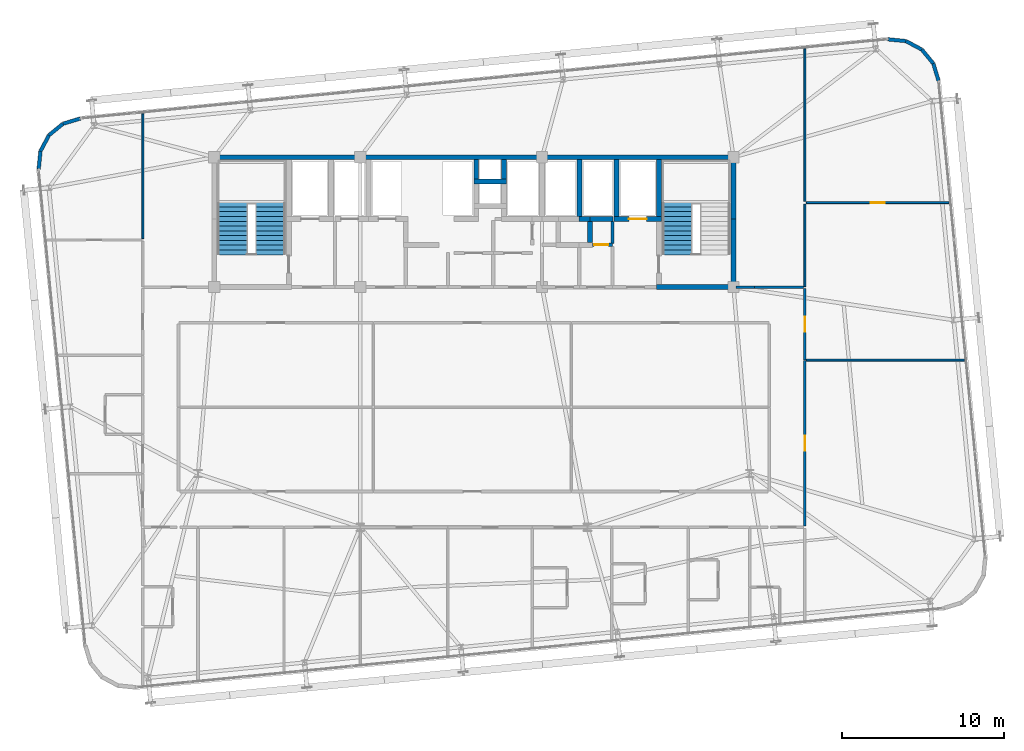
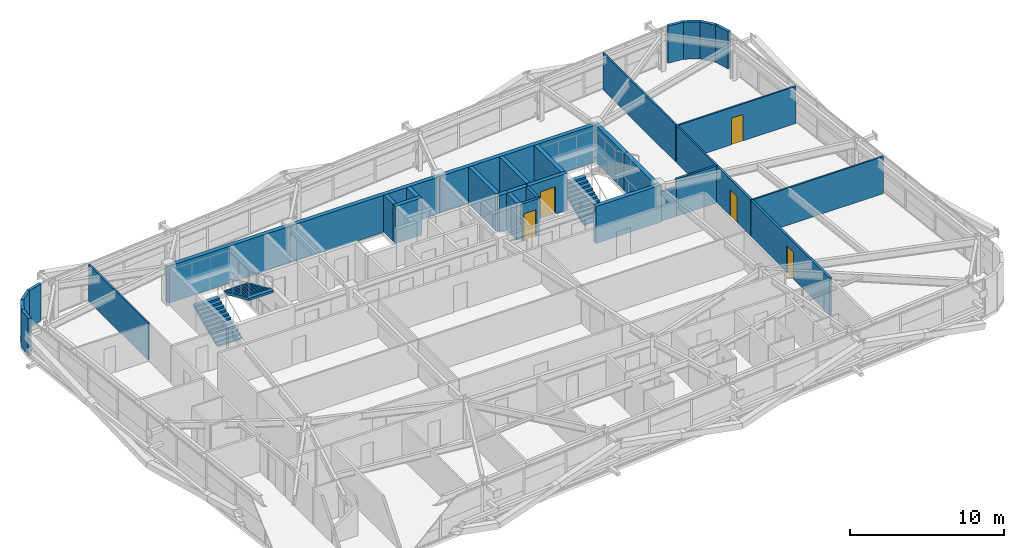
# One storey, part 50 of 54: 35 walls, 5 doors, 3 stair flights, 5 openings, 2 elements without a shape of their own.
"""IFC4 building model written with IfcOpenShell, lengths in metres."""

from ifc_helpers import new_model, si_unit, direction, frame, frame_2d, origin, place, context, subcontext, project, spatial, polyline, rectangle, outline, extrude, source, transform, mapped, material, layer, layer_set, type_object, element, fill, aggregate, save


model = new_model("IFC4")

# Units and contexts
model_context = context("Model", 3, precision=1e-05, world=origin(), true_north=direction((0.0, 1.0)))
body_context = subcontext(model_context, "Body", "Model", "MODEL_VIEW")
ifc_project = project(units=[si_unit("LENGTHUNIT", "METRE"), si_unit("AREAUNIT", "SQUARE_METRE"), si_unit("VOLUMEUNIT", "CUBIC_METRE"), si_unit("PLANEANGLEUNIT", "RADIAN"), si_unit("MASSUNIT", "GRAM", prefix="KILO")], contexts=[model_context])

# Site, building, storey
site_placement = place(None, origin())
site = spatial("IfcSite", under=ifc_project, at=site_placement, CompositionType="ELEMENT")
building_placement = place(site_placement, origin())
building = spatial("IfcBuilding", under=site, at=building_placement, Name="Taldren Reach Tower", CompositionType="ELEMENT")
storey_placement = place(building_placement, frame((0.0, 0.0, 102.89990234375)))
storey = spatial("IfcBuildingStorey", under=building, at=storey_placement, Name="L31", CompositionType="ELEMENT", Elevation=102.89990234375)

# Walls
ifc_material_1 = material(Name="Pale Champagne Anodised Aluminium Cladding", Category="aluminium")
ifc_layer_1 = layer(ifc_material_1, 0.04, Name="Pale Champagne Anodised Aluminium Cladding", Category="aluminium")
ifc_material_2 = material(Name="Mineral Wool Acoustic Insulation", Category="insulation")
ifc_layer_2 = layer(ifc_material_2, 0.06, Name="Mineral Wool Acoustic Insulation", Category="insulation")
ifc_material_3 = material(Name="Steel Gr 350 (C350L0)", Category="steel")
ifc_layer_3 = layer(ifc_material_3, 0.12, Name="Steel Gr 350 (C350L0)", Category="steel")
ifc_layer_set_1 = layer_set([ifc_layer_1, ifc_layer_2, ifc_layer_3], Name="Pale Champagne Aluminium Cladding and Steel Gr 350 Stud Framing")
wall_type_1 = type_object("IfcWallType", Name="EW-CRN-220", PredefinedType="SOLIDWALL", material=ifc_layer_set_1)
shared_shape_1 = source(origin(), body_context, "Body", "SweptSolid", [
    extrude(rectangle(XDim=1.115966796875, YDim=0.219970703125, at=frame_2d((0.55810546875, 0.0))), origin(), (0.0, 0.0, 1.0), 2.93017578125),
])
for number, where, z_axis, x_axis, name in (
    (1, (63.6376953125, 36.6982421875, 0.0), (0.0, 0.0, 1.0), (-0.289855603468, 0.957070388811, 0.0), "Rounded-corner pale-metal facade wall L31-NE1"),
    (2, (62.606689453125, 38.629150390625, 0.0), (0.0, 0.0, 1.0), (-0.881655534635, 0.471893545461, 0.0), "Rounded-corner pale-metal facade wall L31-NE3"),
    (3, (61.622802734375, 39.15576171875, 0.0), (0.0, 0.0, 1.0), (-0.995142755671, 0.09844234778, 0.0), "Rounded-corner pale-metal facade wall L31-NE4"),
    (4, (10.7509765625, 34.386474609375, 0.0), (0.0, 0.0, 1.0), (-0.957070388811, -0.289855603468, 0.0), "Rounded-corner pale-metal facade wall L31-NW1"),
):
    element("IfcWall", number, at=place(storey_placement, frame(where, z_axis=z_axis, x_axis=x_axis)), inside=storey, type_object=wall_type_1, Name=name, PredefinedType="SOLIDWALL", context=body_context, shape_type="MappedRepresentation", body=[
        mapped(shared_shape_1, transform((0.0, 0.0, 0.0), scale=1.0)),
    ])
shared_shape_2 = source(origin(), body_context, "Body", "SweptSolid", [
    extrude(rectangle(XDim=1.11572265625, YDim=0.219970703125, at=frame_2d((0.557861328125, 0.0))), origin(), (0.0, 0.0, 1.0), 2.93017578125),
])
for number, where, z_axis, x_axis, name in (
    (5, (63.314208984375, 37.766357421875, 0.0), (0.0, 0.0, 1.0), (-0.634095287989, 0.773254916409, 0.0), "Rounded-corner pale-metal facade wall L31-NE2"),
    (6, (9.682861328125, 34.06298828125, 0.0), (0.0, 0.0, 1.0), (-0.773254916409, -0.634095287989, 0.0), "Rounded-corner pale-metal facade wall L31-NW2"),
    (7, (8.29345703125, 32.371337890625, 0.0), (0.0, 0.0, 1.0), (-0.098463783145, -0.99514063499, 0.0), "Rounded-corner pale-metal facade wall L31-NW4"),
):
    element("IfcWall", number, at=place(storey_placement, frame(where, z_axis=z_axis, x_axis=x_axis)), inside=storey, type_object=wall_type_1, Name=name, PredefinedType="SOLIDWALL", context=body_context, shape_type="MappedRepresentation", body=[
        mapped(shared_shape_2, transform((0.0, 0.0, 0.0), scale=1.0)),
    ])
shared_shape_3 = source(origin(), body_context, "Body", "SweptSolid", [
    extrude(rectangle(XDim=1.1162109375, YDim=0.219970703125, at=frame_2d((0.55810546875, 0.0))), origin(), (0.0, 0.0, 1.0), 2.93017578125),
])
wall_1_placement = place(storey_placement, frame((8.820068359375, 33.35546875, 0.0), z_axis=(0.0, 0.0, 1.0), x_axis=(-0.471802540493, -0.881704237704, 0.0)))
element("IfcWall", 8, at=wall_1_placement, inside=storey, type_object=wall_type_1, Name="Rounded-corner pale-metal facade wall L31-NW3", PredefinedType="SOLIDWALL", context=body_context, shape_type="MappedRepresentation", body=[
    mapped(shared_shape_3, transform((0.0, 0.0, 0.0), scale=1.0)),
])

# Wall, opening, door
ifc_material_4 = material(Name="Concrete S50 (50 MPa)", Category="concrete")
ifc_layer_4 = layer(ifc_material_4, 0.199951171875)
ifc_layer_set_2 = layer_set([ifc_layer_4], Name="Concrete S50 (50 MPa)")
wall_type_2 = type_object("IfcWallType", Name="IW-CORE-200", PredefinedType="SOLIDWALL", material=ifc_layer_set_2)
shared_shape_4 = source(origin(), body_context, "Body", "SweptSolid", [
    extrude(rectangle(XDim=1.25, YDim=0.199951171875, at=frame_2d((0.625, 0.0))), origin(), (0.0, 0.0, 1.0), 2.93017578125),
])
wall_2_placement = place(storey_placement, frame((42.300048828125, 26.60009765625, 0.0), z_axis=(0.0, 0.0, 1.0), x_axis=(1.0, 0.0, 0.0)))
wall_2 = element("IfcWall", 9, at=wall_2_placement, inside=storey, type_object=wall_type_2, Name="Rear Core Shear Wall W-INT-L31-058", PredefinedType="SOLIDWALL", context=body_context, shape_type="MappedRepresentation", body=[
    mapped(shared_shape_4, transform((0.0, 0.0, 0.0), scale=1.0)),
])
shared_shape_5 = source(origin(), body_context, "Body", "SweptSolid", [
    extrude(rectangle(XDim=0.8798828125, YDim=2.10009765625, at=frame_2d((0.43994140625, 1.050048828125))), frame((0.0, 0.10986328125, 0.0), z_axis=(0.0, -1.0, 0.0), x_axis=(1.0, 0.0, 0.0)), (0.0, 0.0, 1.0), 0.219970703125),
])
opening_1_placement = place(wall_2_placement, frame((0.110107421875, 0.0, 0.0)))
opening_1 = element("IfcOpeningElement", 10, at=opening_1_placement, cuts=wall_2, Name="Opening DF-088", PredefinedType="OPENING", context=body_context, shape_type="MappedRepresentation", body=[
    mapped(shared_shape_5, transform((0.0, 0.0, 0.0), scale=1.0)),
])
ifc_material_5 = material(Name="Fire-Rated Service Closet Door")
door_type_1 = type_object("IfcDoorType", Name="ID-FIRE-088", OperationType="NOTDEFINED", PredefinedType="DOOR", material=ifc_material_5)
shared_shape_6 = source(origin(), body_context, "Body", "SweptSolid", [
    extrude(rectangle(XDim=0.8798828125, YDim=2.10009765625, at=frame_2d((0.43994140625, 1.050048828125))), frame((0.0, 0.02490234375, 0.0), z_axis=(0.0, -1.0, 0.0), x_axis=(1.0, 0.0, 0.0)), (0.0, 0.0, 1.0), 0.050048828125),
])
door_1_placement = place(opening_1_placement, origin())
door_1 = element("IfcDoor", 11, at=door_1_placement, inside=storey, type_object=door_type_1, Name="Interior Door DR-L31-012", OperationType="SINGLE_SWING_LEFT", OverallHeight=2.10009765625, OverallWidth=0.8798828125, PredefinedType="DOOR", context=body_context, shape_type="MappedRepresentation", body=[
    mapped(shared_shape_6, transform((0.0, 0.0, 0.0), scale=1.0)),
])
fill(opening_1, door_1)

# Walls
ifc_material_6 = material(Name="Concrete S65 (65 MPa)", Category="concrete")
ifc_layer_5 = layer(ifc_material_6, 0.300048828125)
ifc_layer_set_3 = layer_set([ifc_layer_5], Name="Concrete S65 (65 MPa)")
wall_type_3 = type_object("IfcWallType", Name="IW-CORE-300", PredefinedType="SHEAR", material=ifc_layer_set_3)
shared_shape_7 = source(origin(), body_context, "Body", "SweptSolid", [
    extrude(rectangle(XDim=9.14990234375, YDim=0.300048828125, at=frame_2d((4.574951171875, 0.0))), origin(), (0.0, 0.0, 1.0), 2.93017578125),
])
wall_3_placement = place(storey_placement, frame((18.85009765625, 32.0, 0.0), z_axis=(0.0, 0.0, 1.0), x_axis=(1.0, 0.0, 0.0)))
element("IfcWall", 12, at=wall_3_placement, inside=storey, type_object=wall_type_3, Name="Rear Core Shear Wall W-CORE-L31-NORTH1", PredefinedType="SHEAR", context=body_context, shape_type="MappedRepresentation", body=[
    mapped(shared_shape_7, transform((0.0, 0.0, 0.0), scale=1.0)),
])
shared_shape_8 = source(origin(), body_context, "Body", "SweptSolid", [
    extrude(rectangle(XDim=11.199951171875, YDim=0.300048828125, at=frame_2d((5.60009765625, 0.0))), origin(), (0.0, 0.0, 1.0), 2.93017578125),
])
wall_4_placement = place(storey_placement, frame((28.0, 32.0, 0.0), z_axis=(0.0, 0.0, 1.0), x_axis=(1.0, 0.0, 0.0)))
element("IfcWall", 13, at=wall_4_placement, inside=storey, type_object=wall_type_3, Name="Rear Core Shear Wall W-CORE-L31-NORTH2", PredefinedType="SHEAR", context=body_context, shape_type="MappedRepresentation", body=[
    mapped(shared_shape_8, transform((0.0, 0.0, 0.0), scale=1.0)),
])
shared_shape_9 = source(origin(), body_context, "Body", "SweptSolid", [
    extrude(rectangle(XDim=11.949951171875, YDim=0.300048828125, at=frame_2d((5.97509765625, 0.0))), origin(), (0.0, 0.0, 1.0), 2.93017578125),
])
wall_5_placement = place(storey_placement, frame((39.199951171875, 32.0, 0.0), z_axis=(0.0, 0.0, 1.0), x_axis=(1.0, 0.0, 0.0)))
element("IfcWall", 14, at=wall_5_placement, inside=storey, type_object=wall_type_3, Name="Rear Core Shear Wall W-CORE-L31-NORTH3", PredefinedType="SHEAR", context=body_context, shape_type="MappedRepresentation", body=[
    mapped(shared_shape_9, transform((0.0, 0.0, 0.0), scale=1.0)),
])
shared_shape_10 = source(origin(), body_context, "Body", "SweptSolid", [
    extrude(rectangle(XDim=4.050048828125, YDim=0.300048828125, at=frame_2d((2.02490234375, 0.0))), origin(), (0.0, 0.0, 1.0), 2.93017578125),
])
wall_6_placement = place(storey_placement, frame((51.0, 24.14990234375, 0.0), z_axis=(0.0, 0.0, 1.0), x_axis=(0.0, 1.0, 0.0)))
element("IfcWall", 15, at=wall_6_placement, inside=storey, type_object=wall_type_3, Name="Rear Core Shear Wall W-CORE-L31-EAST1", PredefinedType="SHEAR", context=body_context, shape_type="MappedRepresentation", body=[
    mapped(shared_shape_10, transform((0.0, 0.0, 0.0), scale=1.0)),
])
shared_shape_11 = source(origin(), body_context, "Body", "SweptSolid", [
    extrude(rectangle(XDim=3.650146484375, YDim=0.300048828125, at=frame_2d((1.8251953125, 0.0))), origin(), (0.0, 0.0, 1.0), 2.93017578125),
])
wall_7_placement = place(storey_placement, frame((51.0, 28.199951171875, 0.0), z_axis=(0.0, 0.0, 1.0), x_axis=(0.0, 1.0, 0.0)))
element("IfcWall", 16, at=wall_7_placement, inside=storey, type_object=wall_type_3, Name="Rear Core Shear Wall W-CORE-L31-EAST2", PredefinedType="SHEAR", context=body_context, shape_type="MappedRepresentation", body=[
    mapped(shared_shape_11, transform((0.0, 0.0, 0.0), scale=1.0)),
])
shared_shape_12 = source(origin(), body_context, "Body", "SweptSolid", [
    extrude(rectangle(XDim=3.5, YDim=0.300048828125, at=frame_2d((1.75, 0.0))), origin(), (0.0, 0.0, 1.0), 2.93017578125),
])
for number, where, z_axis, x_axis, name in (
    (17, (46.39990234375, 31.85009765625, 0.0), (0.0, 0.0, 1.0), (0.0, -1.0, 0.0), "Rear Core Shear Wall W-INT-L31-008"),
    (18, (43.800048828125, 31.85009765625, 0.0), (0.0, 0.0, 1.0), (0.0, -1.0, 0.0), "Rear Core Shear Wall W-INT-L31-012"),
    (19, (41.5, 28.35009765625, 0.0), (0.0, 0.0, 1.0), (0.0, 1.0, 0.0), "Rear Core Shear Wall W-INT-L31-041"),
):
    element("IfcWall", number, at=place(storey_placement, frame(where, z_axis=z_axis, x_axis=x_axis)), inside=storey, type_object=wall_type_3, Name=name, PredefinedType="SHEAR", context=body_context, shape_type="MappedRepresentation", body=[
        mapped(shared_shape_12, transform((0.0, 0.0, 0.0), scale=1.0)),
    ])
shared_shape_13 = source(origin(), body_context, "Body", "SweptSolid", [
    extrude(rectangle(XDim=4.89990234375, YDim=0.300048828125, at=frame_2d((2.449951171875, 0.0))), origin(), (0.0, 0.0, 1.0), 2.93017578125),
])
wall_8_placement = place(storey_placement, frame((46.25, 24.0, 0.0), z_axis=(0.0, 0.0, 1.0), x_axis=(1.0, 0.0, 0.0)))
element("IfcWall", 20, at=wall_8_placement, inside=storey, type_object=wall_type_3, Name="Rear Core Shear Wall W-INT-L31-010", PredefinedType="SHEAR", context=body_context, shape_type="MappedRepresentation", body=[
    mapped(shared_shape_13, transform((0.0, 0.0, 0.0), scale=1.0)),
])

# Wall, opening, door
shared_shape_14 = source(origin(), body_context, "Body", "SweptSolid", [
    extrude(rectangle(XDim=2.900146484375, YDim=0.300048828125, at=frame_2d((1.4501953125, 0.0))), origin(), (0.0, 0.0, 1.0), 2.93017578125),
])
wall_9_placement = place(storey_placement, frame((43.64990234375, 28.199951171875, 0.0), z_axis=(0.0, 0.0, 1.0), x_axis=(1.0, 0.0, 0.0)))
wall_9 = element("IfcWall", 21, at=wall_9_placement, inside=storey, type_object=wall_type_3, Name="Rear Core Shear Wall W-INT-L31-011", PredefinedType="SHEAR", context=body_context, shape_type="MappedRepresentation", body=[
    mapped(shared_shape_14, transform((0.0, 0.0, 0.0), scale=1.0)),
])
shared_shape_15 = source(origin(), body_context, "Body", "SweptSolid", [
    extrude(rectangle(XDim=1.10009765625, YDim=2.14990234375, at=frame_2d((0.550048828125, 1.074951171875))), frame((0.0, 0.16015625, 0.0), z_axis=(0.0, -1.0, 0.0), x_axis=(1.0, 0.0, 0.0)), (0.0, 0.0, 1.0), 0.320068359375),
])
opening_2_placement = place(wall_9_placement, frame((0.89990234375, 0.0, 0.0)))
opening_2 = element("IfcOpeningElement", 22, at=opening_2_placement, cuts=wall_9, Name="Opening LD-FL2", PredefinedType="OPENING", context=body_context, shape_type="MappedRepresentation", body=[
    mapped(shared_shape_15, transform((0.0, 0.0, 0.0), scale=1.0)),
])
ifc_material_7 = material(Name="Stainless Steel Gr 316 Emergency Lift Landing Door", Category="steel")
door_type_2 = type_object("IfcDoorType", Name="LD-EMG-110", OperationType="SLIDING_TO_LEFT", PredefinedType="DOOR", material=ifc_material_7)
shared_shape_16 = source(origin(), body_context, "Body", "SweptSolid", [
    extrude(rectangle(XDim=1.10009765625, YDim=2.14990234375, at=frame_2d((0.550048828125, 1.074951171875))), frame((0.0, 0.02490234375, 0.0), z_axis=(0.0, -1.0, 0.0), x_axis=(1.0, 0.0, 0.0)), (0.0, 0.0, 1.0), 0.050048828125),
])
door_2_placement = place(opening_2_placement, origin())
door_2 = element("IfcDoor", 23, at=door_2_placement, inside=storey, type_object=door_type_2, Name="Lift Landing Door LD-FL2-L31", OperationType="SLIDING_TO_LEFT", OverallHeight=2.14990234375, OverallWidth=1.10009765625, PredefinedType="DOOR", context=body_context, shape_type="MappedRepresentation", body=[
    mapped(shared_shape_16, transform((0.0, 0.0, 0.0), scale=1.0)),
])
fill(opening_2, door_2)

# Walls
shared_shape_17 = source(origin(), body_context, "Body", "SweptSolid", [
    extrude(rectangle(XDim=2.0, YDim=0.300048828125, at=frame_2d((1.0, 0.0))), origin(), (0.0, 0.0, 1.0), 2.93017578125),
])
wall_10_placement = place(storey_placement, frame((35.0, 30.5, 0.0), z_axis=(0.0, 0.0, 1.0), x_axis=(1.0, 0.0, 0.0)))
element("IfcWall", 24, at=wall_10_placement, inside=storey, type_object=wall_type_3, Name="Rear Core Shear Wall W-INT-L31-016", PredefinedType="SHEAR", context=body_context, shape_type="MappedRepresentation", body=[
    mapped(shared_shape_17, transform((0.0, 0.0, 0.0), scale=1.0)),
])
shared_shape_18 = source(origin(), body_context, "Body", "SweptSolid", [
    extrude(rectangle(XDim=1.2001953125, YDim=0.300048828125, at=frame_2d((0.60009765625, 0.0))), origin(), (0.0, 0.0, 1.0), 2.93017578125),
])
for number, where, z_axis, x_axis, name in (
    (25, (35.14990234375, 31.85009765625, 0.0), (0.0, 0.0, 1.0), (0.0, -1.0, 0.0), "Rear Core Shear Wall W-INT-L31-017"),
    (26, (36.85009765625, 30.64990234375, 0.0), (0.0, 0.0, 1.0), (0.0, 1.0, 0.0), "Rear Core Shear Wall W-INT-L31-018"),
):
    element("IfcWall", number, at=place(storey_placement, frame(where, z_axis=z_axis, x_axis=x_axis)), inside=storey, type_object=wall_type_3, Name=name, PredefinedType="SHEAR", context=body_context, shape_type="MappedRepresentation", body=[
        mapped(shared_shape_18, transform((0.0, 0.0, 0.0), scale=1.0)),
    ])
shared_shape_19 = source(origin(), body_context, "Body", "SweptSolid", [
    extrude(rectangle(XDim=1.300048828125, YDim=0.300048828125, at=frame_2d((0.64990234375, 0.0))), origin(), (0.0, 0.0, 1.0), 2.93017578125),
])
wall_11_placement = place(storey_placement, frame((42.14990234375, 26.75, 0.0), z_axis=(0.0, 0.0, 1.0), x_axis=(0.0, 1.0, 0.0)))
element("IfcWall", 27, at=wall_11_placement, inside=storey, type_object=wall_type_3, Name="Rear Core Shear Wall W-INT-L31-029", PredefinedType="SHEAR", context=body_context, shape_type="MappedRepresentation", body=[
    mapped(shared_shape_19, transform((0.0, 0.0, 0.0), scale=1.0)),
])
shared_shape_20 = source(origin(), body_context, "Body", "SweptSolid", [
    extrude(rectangle(XDim=0.669921875, YDim=0.300048828125, at=frame_2d((0.3349609375, 0.0))), origin(), (0.0, 0.0, 1.0), 2.93017578125),
])
wall_12_placement = place(storey_placement, frame((42.14990234375, 28.199951171875, 0.0), z_axis=(0.0, 0.0, 1.0), x_axis=(-1.0, 0.0, 0.0)))
element("IfcWall", 28, at=wall_12_placement, inside=storey, type_object=wall_type_3, Name="Rear Core Shear Wall W-INT-L31-025", PredefinedType="SHEAR", context=body_context, shape_type="MappedRepresentation", body=[
    mapped(shared_shape_20, transform((0.0, 0.0, 0.0), scale=1.0)),
])
shared_shape_21 = source(origin(), body_context, "Body", "SweptSolid", [
    extrude(rectangle(XDim=1.440185546875, YDim=0.300048828125, at=frame_2d((0.72021484375, 0.0))), origin(), (0.0, 0.0, 1.0), 2.93017578125),
])
wall_13_placement = place(storey_placement, frame((42.1298828125, 28.199951171875, 0.0), z_axis=(0.0, 0.0, 1.0), x_axis=(1.0, 0.0, 0.0)))
element("IfcWall", 29, at=wall_13_placement, inside=storey, type_object=wall_type_3, Name="Rear Core Shear Wall W-INT-L31-043", PredefinedType="SHEAR", context=body_context, shape_type="MappedRepresentation", body=[
    mapped(shared_shape_21, transform((0.0, 0.0, 0.0), scale=1.0)),
])
ifc_material_8 = material(Name="Fire-Rated Acoustic Plasterboard Stud Wall", Category="gypsum")
ifc_layer_6 = layer(ifc_material_8, 0.159912109375)
ifc_layer_set_4 = layer_set([ifc_layer_6], Name="Fire-Rated Acoustic Plasterboard Stud Wall")
wall_type_4 = type_object("IfcWallType", Name="IW-FIRE-160", PredefinedType="PARTITIONING", material=ifc_layer_set_4)
shared_shape_22 = source(origin(), body_context, "Body", "SweptSolid", [
    extrude(rectangle(XDim=1.154541015625, YDim=0.159912109375, at=frame_2d((0.5771484375, 0.0))), origin(), (0.0, 0.0, 1.0), 2.328125),
])
wall_14_placement = place(storey_placement, frame((51.14990234375, 24.0, 0.0), z_axis=(0.0, 0.0, 1.0), x_axis=(1.0, 0.0, 0.0)))
element("IfcWall", 30, at=wall_14_placement, inside=storey, type_object=wall_type_4, Name="Interior Partition Wall W-INT-L31-077", PredefinedType="PARTITIONING", context=body_context, shape_type="MappedRepresentation", body=[
    mapped(shared_shape_22, transform((0.0, 0.0, 0.0), scale=1.0)),
])
shared_shape_23 = source(origin(), body_context, "Body", "SweptSolid", [
    extrude(rectangle(XDim=3.015625, YDim=0.159912109375, at=frame_2d((1.5078125, 0.0))), origin(), (0.0, 0.0, 1.0), 2.93017578125),
])
wall_15_placement = place(storey_placement, frame((52.304443359375, 24.0, 0.0), z_axis=(0.0, 0.0, 1.0), x_axis=(1.0, 0.0, 0.0)))
element("IfcWall", 31, at=wall_15_placement, inside=storey, type_object=wall_type_4, Name="Interior Partition Wall W-INT-L31-077 part 2", PredefinedType="PARTITIONING", context=body_context, shape_type="MappedRepresentation", body=[
    mapped(shared_shape_23, transform((0.0, 0.0, 0.0), scale=1.0)),
])
shared_shape_24 = source(origin(), body_context, "Body", "SweptSolid", [
    extrude(rectangle(XDim=1.35009765625, YDim=0.199951171875, at=frame_2d((0.675048828125, 0.0))), origin(), (0.0, 0.0, 1.0), 2.93017578125),
])
wall_16_placement = place(storey_placement, frame((43.550048828125, 28.050048828125, 0.0), z_axis=(0.0, 0.0, 1.0), x_axis=(0.0, -1.0, 0.0)))
element("IfcWall", 32, at=wall_16_placement, inside=storey, type_object=wall_type_2, Name="Rear Core Shear Wall W-INT-L31-014", PredefinedType="SOLIDWALL", context=body_context, shape_type="MappedRepresentation", body=[
    mapped(shared_shape_24, transform((0.0, 0.0, 0.0), scale=1.0)),
])

# Wall, opening, door
shared_shape_25 = source(origin(), body_context, "Body", "SweptSolid", [
    extrude(rectangle(XDim=10.19970703125, YDim=0.159912109375, at=frame_2d((5.099853515625, 0.0))), origin(), (0.0, 0.0, 1.0), 2.93017578125),
])
wall_17_placement = place(storey_placement, frame((55.39990234375, 19.479736328125, 0.0), z_axis=(0.0, 0.0, 1.0), x_axis=(0.0, -1.0, 0.0)))
wall_17 = element("IfcWall", 33, at=wall_17_placement, inside=storey, type_object=wall_type_4, Name="Interior Partition Wall W-INT-L31-074", PredefinedType="PARTITIONING", context=body_context, shape_type="MappedRepresentation", body=[
    mapped(shared_shape_25, transform((0.0, 0.0, 0.0), scale=1.0)),
])
shared_shape_26 = source(origin(), body_context, "Body", "SweptSolid", [
    extrude(rectangle(XDim=0.919921875, YDim=2.10009765625, at=frame_2d((0.4599609375, 1.050048828125))), frame((0.0, 0.08984375, 0.0), z_axis=(0.0, -1.0, 0.0), x_axis=(1.0, 0.0, 0.0)), (0.0, 0.0, 1.0), 0.179931640625),
])
opening_3_placement = place(wall_17_placement, frame((4.639892578125, 0.0, 0.0)))
opening_3 = element("IfcOpeningElement", 34, at=opening_3_placement, cuts=wall_17, Name="Opening DI-092", PredefinedType="OPENING", context=body_context, shape_type="MappedRepresentation", body=[
    mapped(shared_shape_26, transform((0.0, 0.0, 0.0), scale=1.0)),
])
ifc_material_9 = material(Name="Solid-Core Timber Suite Door", Category="wood")
door_type_3 = type_object("IfcDoorType", Name="ID-INT-092", OperationType="NOTDEFINED", PredefinedType="DOOR", material=ifc_material_9)
shared_shape_27 = source(origin(), body_context, "Body", "SweptSolid", [
    extrude(rectangle(XDim=0.919921875, YDim=2.10009765625, at=frame_2d((0.4599609375, 1.050048828125))), frame((0.0, 0.02490234375, 0.0), z_axis=(0.0, -1.0, 0.0), x_axis=(1.0, 0.0, 0.0)), (0.0, 0.0, 1.0), 0.050048828125),
])
door_3_placement = place(opening_3_placement, origin())
door_3 = element("IfcDoor", 35, at=door_3_placement, inside=storey, type_object=door_type_3, Name="Interior Door DR-L31-022", OperationType="SINGLE_SWING_LEFT", OverallHeight=2.10009765625, OverallWidth=0.919921875, PredefinedType="DOOR", context=body_context, shape_type="MappedRepresentation", body=[
    mapped(shared_shape_27, transform((0.0, 0.0, 0.0), scale=1.0)),
])
fill(opening_3, door_3)

shared_shape_28 = source(origin(), body_context, "Body", "SweptSolid", [
    extrude(rectangle(XDim=4.399658203125, YDim=0.159912109375, at=frame_2d((2.19970703125, 0.0))), origin(), (0.0, 0.0, 1.0), 2.93017578125),
])
wall_18_placement = place(storey_placement, frame((55.39990234375, 23.919921875, 0.0), z_axis=(0.0, 0.0, 1.0), x_axis=(0.0, -1.0, 0.0)))
wall_18 = element("IfcWall", 36, at=wall_18_placement, inside=storey, type_object=wall_type_4, Name="Interior Partition Wall W-INT-L31-075", PredefinedType="PARTITIONING", context=body_context, shape_type="MappedRepresentation", body=[
    mapped(shared_shape_28, transform((0.0, 0.0, 0.0), scale=1.0)),
])
opening_4_placement = place(wall_18_placement, frame((1.739990234375, 0.0, 0.0)))
opening_4 = element("IfcOpeningElement", 37, at=opening_4_placement, cuts=wall_18, Name="Opening DI-092", PredefinedType="OPENING", context=body_context, shape_type="MappedRepresentation", body=[
    mapped(shared_shape_26, transform((0.0, 0.0, 0.0), scale=1.0)),
])
door_4_placement = place(opening_4_placement, origin())
door_4 = element("IfcDoor", 38, at=door_4_placement, inside=storey, type_object=door_type_3, Name="Interior Door DR-L31-023", OperationType="SINGLE_SWING_RIGHT", OverallHeight=2.10009765625, OverallWidth=0.919921875, PredefinedType="DOOR", context=body_context, shape_type="MappedRepresentation", body=[
    mapped(shared_shape_27, transform((0.0, 0.0, 0.0), scale=1.0)),
])
fill(opening_4, door_4)

# Walls
ifc_material_10 = material(Name="Insulated Residential Stud Partition", Category="gypsum")
ifc_layer_7 = layer(ifc_material_10, 0.1201171875)
ifc_layer_set_5 = layer_set([ifc_layer_7], Name="Insulated Residential Stud Partition")
wall_type_5 = type_object("IfcWallType", Name="IW-PART-120", PredefinedType="PARTITIONING", material=ifc_layer_set_5)
shared_shape_29 = source(origin(), body_context, "Body", "SweptSolid", [
    extrude(rectangle(XDim=7.685546875, YDim=0.1201171875, at=frame_2d((3.8427734375, 0.0))), origin(), (0.0, 0.0, 1.0), 2.93017578125),
])
wall_19_placement = place(storey_placement, frame((14.60009765625, 34.66552734375, 0.0), z_axis=(0.0, 0.0, 1.0), x_axis=(0.0, -1.0, 0.0)))
element("IfcWall", 39, at=wall_19_placement, inside=storey, type_object=wall_type_5, Name="Interior Partition Wall W-INT-L31-137", PredefinedType="PARTITIONING", context=body_context, shape_type="MappedRepresentation", body=[
    mapped(shared_shape_29, transform((0.0, 0.0, 0.0), scale=1.0)),
])
shared_shape_30 = source(origin(), body_context, "Body", "SweptSolid", [
    extrude(rectangle(XDim=9.757568359375, YDim=0.1201171875, at=frame_2d((4.87890625, 0.0))), origin(), (0.0, 0.0, 1.0), 2.93017578125),
])
wall_20_placement = place(storey_placement, frame((55.48193359375, 19.5, 0.0), z_axis=(0.0, 0.0, 1.0), x_axis=(1.0, 0.0, 0.0)))
element("IfcWall", 40, at=wall_20_placement, inside=storey, type_object=wall_type_5, Name="Interior Partition Wall W-INT-L31-138", PredefinedType="PARTITIONING", context=body_context, shape_type="MappedRepresentation", body=[
    mapped(shared_shape_30, transform((0.0, 0.0, 0.0), scale=1.0)),
])

# Wall, opening, door
shared_shape_31 = source(origin(), body_context, "Body", "SweptSolid", [
    extrude(rectangle(XDim=8.806396484375, YDim=0.1201171875, at=frame_2d((4.4033203125, 0.0))), origin(), (0.0, 0.0, 1.0), 2.93017578125),
])
wall_21_placement = place(storey_placement, frame((55.48193359375, 29.199951171875, 0.0), z_axis=(0.0, 0.0, 1.0), x_axis=(1.0, 0.0, 0.0)))
wall_21 = element("IfcWall", 41, at=wall_21_placement, inside=storey, type_object=wall_type_5, Name="Interior Partition Wall W-INT-L31-139", PredefinedType="PARTITIONING", context=body_context, shape_type="MappedRepresentation", body=[
    mapped(shared_shape_31, transform((0.0, 0.0, 0.0), scale=1.0)),
])
shared_shape_32 = source(origin(), body_context, "Body", "SweptSolid", [
    extrude(rectangle(XDim=0.860107421875, YDim=2.10009765625, at=frame_2d((0.43017578125, 1.050048828125))), frame((0.0, 0.070068359375, 0.0), z_axis=(0.0, -1.0, 0.0), x_axis=(1.0, 0.0, 0.0)), (0.0, 0.0, 1.0), 0.14013671875),
])
opening_5_placement = place(wall_21_placement, frame((3.97314453125, 0.0, 0.0)))
opening_5 = element("IfcOpeningElement", 42, at=opening_5_placement, cuts=wall_21, Name="Opening DI-086", PredefinedType="OPENING", context=body_context, shape_type="MappedRepresentation", body=[
    mapped(shared_shape_32, transform((0.0, 0.0, 0.0), scale=1.0)),
])
ifc_material_11 = material(Name="Timber Bathroom Door", Category="wood")
door_type_4 = type_object("IfcDoorType", Name="ID-INT-086", OperationType="NOTDEFINED", PredefinedType="DOOR", material=ifc_material_11)
shared_shape_33 = source(origin(), body_context, "Body", "SweptSolid", [
    extrude(rectangle(XDim=0.860107421875, YDim=2.10009765625, at=frame_2d((0.43017578125, 1.050048828125))), frame((0.0, 0.02490234375, 0.0), z_axis=(0.0, -1.0, 0.0), x_axis=(1.0, 0.0, 0.0)), (0.0, 0.0, 1.0), 0.050048828125),
])
door_5_placement = place(opening_5_placement, origin())
door_5 = element("IfcDoor", 43, at=door_5_placement, inside=storey, type_object=door_type_4, Name="Interior Door DR-L31-043", OperationType="SINGLE_SWING_RIGHT", OverallHeight=2.10009765625, OverallWidth=0.860107421875, PredefinedType="DOOR", context=body_context, shape_type="MappedRepresentation", body=[
    mapped(shared_shape_33, transform((0.0, 0.0, 0.0), scale=1.0)),
])
fill(opening_5, door_5)

# Walls
shared_shape_34 = source(origin(), body_context, "Body", "SweptSolid", [
    extrude(rectangle(XDim=5.09765625, YDim=0.1201171875, at=frame_2d((2.548828125, 0.0))), origin(), (0.0, 0.0, 1.0), 2.93017578125),
])
wall_22_placement = place(storey_placement, frame((55.39990234375, 24.020263671875, 0.0), z_axis=(0.0, 0.0, 1.0), x_axis=(0.0, 1.0, 0.0)))
element("IfcWall", 44, at=wall_22_placement, inside=storey, type_object=wall_type_5, Name="Interior Partition Wall W-INT-L31-140", PredefinedType="PARTITIONING", context=body_context, shape_type="MappedRepresentation", body=[
    mapped(shared_shape_34, transform((0.0, 0.0, 0.0), scale=1.0)),
])
shared_shape_35 = source(origin(), body_context, "Body", "SweptSolid", [
    extrude(rectangle(XDim=9.401611328125, YDim=0.1201171875, at=frame_2d((4.70068359375, 0.0))), origin(), (0.0, 0.0, 1.0), 2.93017578125),
])
wall_23_placement = place(storey_placement, frame((55.39990234375, 29.280029296875, 0.0), z_axis=(0.0, 0.0, 1.0), x_axis=(0.0, 1.0, 0.0)))
element("IfcWall", 45, at=wall_23_placement, inside=storey, type_object=wall_type_5, Name="Interior Partition Wall W-INT-L31-141", PredefinedType="PARTITIONING", context=body_context, shape_type="MappedRepresentation", body=[
    mapped(shared_shape_35, transform((0.0, 0.0, 0.0), scale=1.0)),
])

# Stair, stair flights
stair_type = type_object("IfcStairType", Name="ST-HT-315", PredefinedType="HALF_TURN_STAIR", material=ifc_material_4)
stair_1_placement = place(storey_placement, origin())
stair_1 = element("IfcStair", 46, at=stair_1_placement, inside=storey, type_object=stair_type, Name="Fire-isolated exit stair ST1 L31", PredefinedType="HALF_TURN_STAIR")
stair_flight_type = type_object("IfcStairFlightType", Name="SF-STR-315", PredefinedType="STRAIGHT", material=ifc_material_4)
stair_flight_1_placement = place(storey_placement, frame((20.139892578125, 25.989990234375, 0.0), z_axis=(0.0, 0.0, 1.0), x_axis=(0.0, 1.0, 0.0)))
stair_flight_1 = element("IfcStairFlight", 47, at=stair_flight_1_placement, type_object=stair_flight_type, Name="ST1 flight 1", NumberOfRisers=12, NumberOfTreads=11, PredefinedType="STRAIGHT", RiserHeight=0.13125, TreadLength=0.295, context=body_context, shape_type="SweptSolid", body=[
    extrude(outline(polyline([(0.0, 0.0), (0.0, 0.13134765625), (0.294921875, 0.13134765625), (0.294921875, 0.262451171875), (0.590087890625, 0.262451171875), (0.590087890625, 0.393798828125), (0.885009765625, 0.393798828125), (0.885009765625, 0.52490234375), (1.179931640625, 0.52490234375), (1.179931640625, 0.65625), (1.47509765625, 0.65625), (1.47509765625, 0.78759765625), (1.77001953125, 0.78759765625), (1.77001953125, 0.918701171875), (2.06494140625, 0.918701171875), (2.06494140625, 1.050048828125), (2.360107421875, 1.050048828125), (2.360107421875, 1.18115234375), (2.655029296875, 1.18115234375), (2.655029296875, 1.3125), (2.949951171875, 1.3125), (2.949951171875, 1.44384765625), (3.2451171875, 1.44384765625), (3.2451171875, 1.574951171875), (3.2451171875, 1.268798828125), (0.393310546875, 0.0), (0.0, 0.0)])), frame((0.0, 0.919921875, 0.0), z_axis=(0.0, -1.0, 0.0), x_axis=(1.0, 0.0, 0.0)), (0.0, 0.0, 1.0), 1.840087890625),
])
stair_flight_2_placement = place(storey_placement, frame((22.4599609375, 29.235107421875, 1.5751953125), z_axis=(0.0, 0.0, 1.0), x_axis=(0.0, -1.0, 0.0)))
stair_flight_2 = element("IfcStairFlight", 48, at=stair_flight_2_placement, type_object=stair_flight_type, Name="ST1 flight 2", NumberOfRisers=12, NumberOfTreads=11, PredefinedType="STRAIGHT", RiserHeight=0.13125, TreadLength=0.295, context=body_context, shape_type="SweptSolid", body=[
    extrude(outline(polyline([(0.0, 0.0), (0.0, 0.13134765625), (0.294921875, 0.13134765625), (0.294921875, 0.262451171875), (0.590087890625, 0.262451171875), (0.590087890625, 0.393798828125), (0.885009765625, 0.393798828125), (0.885009765625, 0.52490234375), (1.179931640625, 0.52490234375), (1.179931640625, 0.65625), (1.47509765625, 0.65625), (1.47509765625, 0.78759765625), (1.77001953125, 0.78759765625), (1.77001953125, 0.918701171875), (2.06494140625, 0.918701171875), (2.06494140625, 1.050048828125), (2.360107421875, 1.050048828125), (2.360107421875, 1.18115234375), (2.655029296875, 1.18115234375), (2.655029296875, 1.3125), (2.949951171875, 1.3125), (2.949951171875, 1.44384765625), (3.2451171875, 1.44384765625), (3.2451171875, 1.574951171875), (3.2451171875, 1.268798828125), (0.393310546875, 0.0), (0.0, 0.0)])), frame((0.0, 0.919921875, 0.0), z_axis=(0.0, -1.0, 0.0), x_axis=(1.0, 0.0, 0.0)), (0.0, 0.0, 1.0), 1.840087890625),
])
aggregate(stair_1, [stair_flight_1, stair_flight_2])

# Stair, stair flight
stair_2_placement = place(storey_placement, origin())
stair_2 = element("IfcStair", 49, at=stair_2_placement, inside=storey, type_object=stair_type, Name="Fire-isolated exit stair ST2 L31", PredefinedType="HALF_TURN_STAIR")
stair_flight_3_placement = place(storey_placement, frame((47.5400390625, 25.989990234375, 0.0), z_axis=(0.0, 0.0, 1.0), x_axis=(0.0, 1.0, 0.0)))
stair_flight_3 = element("IfcStairFlight", 50, at=stair_flight_3_placement, type_object=stair_flight_type, Name="ST2 flight 1", NumberOfRisers=12, NumberOfTreads=11, PredefinedType="STRAIGHT", RiserHeight=0.13125, TreadLength=0.295, context=body_context, shape_type="SweptSolid", body=[
    extrude(outline(polyline([(0.0, 0.0), (0.0, 0.13134765625), (0.294921875, 0.13134765625), (0.294921875, 0.262451171875), (0.590087890625, 0.262451171875), (0.590087890625, 0.393798828125), (0.885009765625, 0.393798828125), (0.885009765625, 0.52490234375), (1.179931640625, 0.52490234375), (1.179931640625, 0.65625), (1.47509765625, 0.65625), (1.47509765625, 0.78759765625), (1.77001953125, 0.78759765625), (1.77001953125, 0.918701171875), (2.06494140625, 0.918701171875), (2.06494140625, 1.050048828125), (2.360107421875, 1.050048828125), (2.360107421875, 1.18115234375), (2.655029296875, 1.18115234375), (2.655029296875, 1.3125), (2.949951171875, 1.3125), (2.949951171875, 1.44384765625), (3.2451171875, 1.44384765625), (3.2451171875, 1.574951171875), (3.2451171875, 1.268798828125), (0.393310546875, 0.0), (0.0, 0.0)])), frame((0.0, 0.919921875, 0.0), z_axis=(0.0, -1.0, 0.0), x_axis=(1.0, 0.0, 0.0)), (0.0, 0.0, 1.0), 1.840087890625),
])
aggregate(stair_2, [stair_flight_3])

save(model, "model.ifc")
